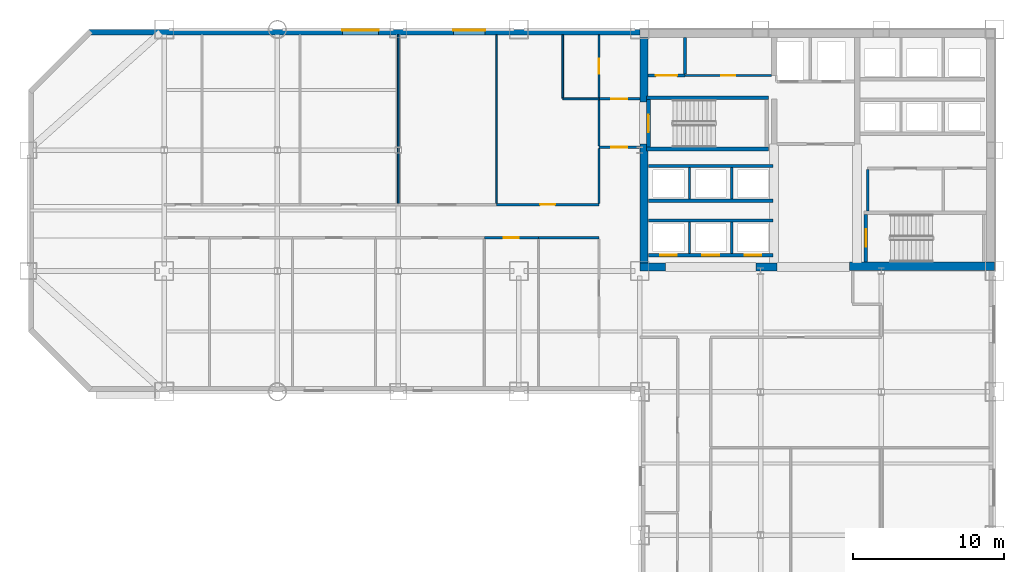
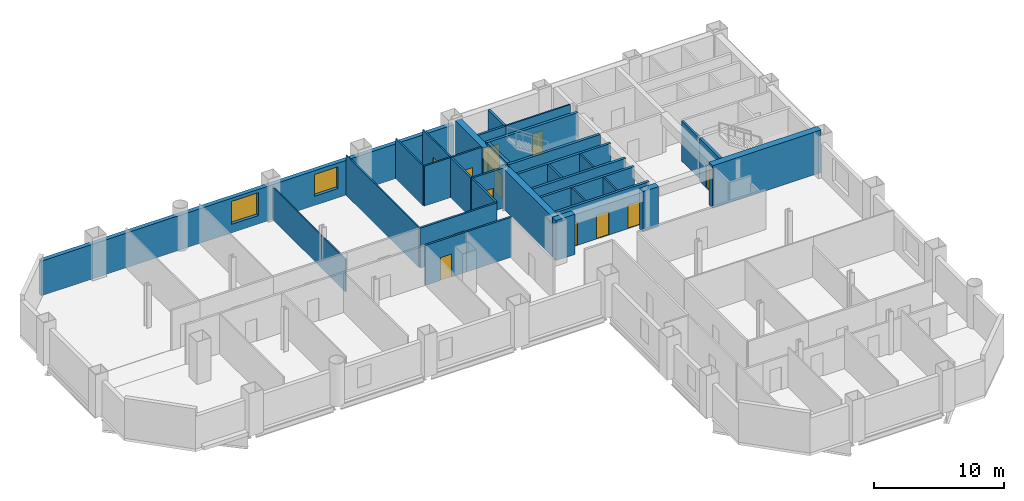
# One storey, part 6 of 9: 34 walls, 12 doors, 2 windows, 14 openings.
"""IFC4 building model written with IfcOpenShell, lengths in metres."""

from ifc_helpers import new_model, si_unit, direction, frame, frame_2d, origin, place, context, subcontext, project, spatial, rectangle, extrude, material, layer, layer_set, type_object, element, fill, save


model = new_model("IFC4")

# Units and contexts
model_context = context("Model", 3, precision=1e-05, world=origin(), true_north=direction((0.0, 1.0)))
body_context = subcontext(model_context, "Body", "Model", "MODEL_VIEW")
ifc_project = project(units=[si_unit("LENGTHUNIT", "METRE"), si_unit("AREAUNIT", "SQUARE_METRE"), si_unit("VOLUMEUNIT", "CUBIC_METRE"), si_unit("PLANEANGLEUNIT", "RADIAN"), si_unit("MASSUNIT", "GRAM", prefix="KILO")], contexts=[model_context])

# Site, building, storey
site_placement = place(None, origin())
site = spatial("IfcSite", under=ifc_project, at=site_placement, CompositionType="ELEMENT")
building_placement = place(site_placement, origin())
building = spatial("IfcBuilding", under=site, at=building_placement, Name="Qianrong Seaharbour Tower", CompositionType="ELEMENT")
storey_placement = place(building_placement, frame((0.0, 0.0, 96.199951171875)))
storey = spatial("IfcBuildingStorey", under=building, at=storey_placement, Name="L23", CompositionType="ELEMENT", Elevation=96.199951171875)

# Walls
ifc_material_1 = material(Name="Concrete C70/85", Category="concrete")
ifc_layer_1 = layer(ifc_material_1, 0.5400390625)
ifc_layer_set_1 = layer_set([ifc_layer_1], Name="Concrete C70/85")
wall_type_1 = type_object("IfcWallType", Name="WALL-CORE-540", PredefinedType="SHEAR", material=ifc_layer_set_1)
wall_1_placement = place(storey_placement, frame((40.77001953125, 36.5400390625, 0.0), z_axis=(0.0, 0.0, 1.0), x_axis=(0.0, 1.0, 0.0)))
element("IfcWall", 1, at=wall_1_placement, inside=storey, type_object=wall_type_1, Name="L23 West Core Shear Wall South", PredefinedType="SHEAR", context=body_context, shape_type="SweptSolid", body=[
    extrude(rectangle(XDim=7.85986328125, YDim=0.5400390625, at=frame_2d((3.929931640625, 0.0))), origin(), (0.0, 0.0, 1.0), 3.75),
])
wall_2_placement = place(storey_placement, frame((40.77001953125, 47.199951171875, 0.0), z_axis=(0.0, 0.0, 1.0), x_axis=(0.0, 1.0, 0.0)))
element("IfcWall", 2, at=wall_2_placement, inside=storey, type_object=wall_type_1, Name="L23 West Core Shear Wall North", PredefinedType="SHEAR", context=body_context, shape_type="SweptSolid", body=[
    extrude(rectangle(XDim=4.260009765625, YDim=0.5400390625, at=frame_2d((2.1298828125, 0.0))), origin(), (0.0, 0.0, 1.0), 3.75),
])
wall_3_placement = place(storey_placement, frame((40.5, 36.27001953125, 0.0), z_axis=(0.0, 0.0, 1.0), x_axis=(1.0, 0.0, 0.0)))
element("IfcWall", 3, at=wall_3_placement, inside=storey, type_object=wall_type_1, Name="L23 South Core Shear Wall S1", PredefinedType="SHEAR", context=body_context, shape_type="SweptSolid", body=[
    extrude(rectangle(XDim=1.699951171875, YDim=0.5400390625, at=frame_2d((0.85009765625, 0.0))), origin(), (0.0, 0.0, 1.0), 3.75),
])
wall_4_placement = place(storey_placement, frame((48.199951171875, 36.27001953125, 0.0), z_axis=(0.0, 0.0, 1.0), x_axis=(1.0, 0.0, 0.0)))
element("IfcWall", 4, at=wall_4_placement, inside=storey, type_object=wall_type_1, Name="L23 South Core Shear Wall S2", PredefinedType="SHEAR", context=body_context, shape_type="SweptSolid", body=[
    extrude(rectangle(XDim=1.400146484375, YDim=0.5400390625, at=frame_2d((0.7001953125, 0.0))), origin(), (0.0, 0.0, 1.0), 3.75),
])
ifc_layer_2 = layer(ifc_material_1, 0.580078125)
ifc_layer_set_2 = layer_set([ifc_layer_2], Name="Concrete C70/85")
wall_type_2 = type_object("IfcWallType", Name="WALL-CORE-580", PredefinedType="SHEAR", material=ifc_layer_set_2)
wall_5_placement = place(storey_placement, frame((54.39990234375, 36.320068359375, 0.0), z_axis=(0.0, 0.0, 1.0), x_axis=(1.0, 0.0, 0.0)))
element("IfcWall", 5, at=wall_5_placement, inside=storey, type_object=wall_type_2, Name="L23 South Core Shear Wall S3", PredefinedType="SHEAR", context=body_context, shape_type="SweptSolid", body=[
    extrude(rectangle(XDim=9.60009765625, YDim=0.580078125, at=frame_2d((4.800048828125, 0.0))), origin(), (0.0, 0.0, 1.0), 4.0),
])

# Wall, opening, door
ifc_material_2 = material(Name="Fire-rated acoustic gypsum board partition")
ifc_layer_3 = layer(ifc_material_2, 0.1650390625)
ifc_layer_set_3 = layer_set([ifc_layer_3], Name="Fire-rated acoustic gypsum board partition")
wall_type_3 = type_object("IfcWallType", Name="WALL-CORR-PART-165", PredefinedType="PARTITIONING", material=ifc_layer_set_3)
wall_6_placement = place(storey_placement, frame((37.800048828125, 47.39990234375, 0.0), z_axis=(0.0, 0.0, 1.0), x_axis=(1.0, 0.0, 0.0)))
wall_6 = element("IfcWall", 6, at=wall_6_placement, inside=storey, type_object=wall_type_3, Name="L23 Interior Partition Wall 001", PredefinedType="PARTITIONING", context=body_context, shape_type="SweptSolid", body=[
    extrude(rectangle(XDim=2.699951171875, YDim=0.1650390625, at=frame_2d((1.35009765625, 0.0))), origin(), (0.0, 0.0, 1.0), 3.75),
])
opening_1_placement = place(wall_6_placement, frame((0.824951171875, 0.0, 0.0)))
opening_1 = element("IfcOpeningElement", 7, at=opening_1_placement, cuts=wall_6, Name="Opening DC-01", PredefinedType="OPENING", context=body_context, shape_type="SweptSolid", body=[
    extrude(rectangle(XDim=1.050048828125, YDim=2.14990234375, at=frame_2d((0.52490234375, 1.074951171875))), frame((0.0, 0.092529296875, 0.0), z_axis=(0.0, -1.0, 0.0), x_axis=(1.0, 0.0, 0.0)), (0.0, 0.0, 1.0), 0.18505859375),
])
ifc_material_3 = material(Name="Acoustic timber and galvanized steel fire door assembly", Category="steel")
door_type_1 = type_object("IfcDoorType", Name="DOOR-CORR-FD60-1050x2150", OperationType="NOTDEFINED", PredefinedType="DOOR", material=ifc_material_3)
door_1_placement = place(opening_1_placement, origin())
door_1 = element("IfcDoor", 8, at=door_1_placement, inside=storey, type_object=door_type_1, Name="L23 Smokeproof Stair Vestibule ST-1 Door", OperationType="SINGLE_SWING_RIGHT", OverallHeight=2.14990234375, OverallWidth=1.050048828125, PredefinedType="DOOR", context=body_context, shape_type="SweptSolid", body=[
    extrude(rectangle(XDim=1.050048828125, YDim=2.14990234375, at=frame_2d((0.52490234375, 1.074951171875))), frame((0.0, 0.02490234375, 0.0), z_axis=(0.0, -1.0, 0.0), x_axis=(1.0, 0.0, 0.0)), (0.0, 0.0, 1.0), 0.050048828125),
])
fill(opening_1, door_1)

wall_7_placement = place(storey_placement, frame((40.5, 44.199951171875, 0.0), z_axis=(0.0, 0.0, 1.0), x_axis=(-1.0, 0.0, 0.0)))
wall_7 = element("IfcWall", 9, at=wall_7_placement, inside=storey, type_object=wall_type_3, Name="L23 Interior Partition Wall 002", PredefinedType="PARTITIONING", context=body_context, shape_type="SweptSolid", body=[
    extrude(rectangle(XDim=2.699951171875, YDim=0.1650390625, at=frame_2d((1.35009765625, 0.0))), origin(), (0.0, 0.0, 1.0), 3.75),
])
opening_2_placement = place(wall_7_placement, frame((0.824951171875, 0.0, 0.0)))
opening_2 = element("IfcOpeningElement", 10, at=opening_2_placement, cuts=wall_7, Name="Opening DC-01", PredefinedType="OPENING", context=body_context, shape_type="SweptSolid", body=[
    extrude(rectangle(XDim=1.050048828125, YDim=2.14990234375, at=frame_2d((0.52490234375, 1.074951171875))), frame((0.0, 0.092529296875, 0.0), z_axis=(0.0, -1.0, 0.0), x_axis=(1.0, 0.0, 0.0)), (0.0, 0.0, 1.0), 0.18505859375),
])
door_2_placement = place(opening_2_placement, origin())
door_2 = element("IfcDoor", 11, at=door_2_placement, inside=storey, type_object=door_type_1, Name="L23 Smokeproof Stair Vestibule ST-1 Door", OperationType="SINGLE_SWING_LEFT", OverallHeight=2.14990234375, OverallWidth=1.050048828125, PredefinedType="DOOR", context=body_context, shape_type="SweptSolid", body=[
    extrude(rectangle(XDim=1.050048828125, YDim=2.14990234375, at=frame_2d((0.52490234375, 1.074951171875))), frame((0.0, 0.02490234375, 0.0), z_axis=(0.0, -1.0, 0.0), x_axis=(1.0, 0.0, 0.0)), (0.0, 0.0, 1.0), 0.050048828125),
])
fill(opening_2, door_2)

# Wall
wall_8_placement = place(storey_placement, frame((37.800048828125, 44.2744140625, 0.0), z_axis=(0.0, 0.0, 1.0), x_axis=(0.0, 1.0, 0.0)))
element("IfcWall", 12, at=wall_8_placement, inside=storey, type_object=wall_type_3, Name="L23 Interior Partition Wall 003", PredefinedType="PARTITIONING", context=body_context, shape_type="SweptSolid", body=[
    extrude(rectangle(XDim=3.051025390625, YDim=0.1650390625, at=frame_2d((1.525390625, 0.0))), origin(), (0.0, 0.0, 1.0), 3.75),
])

# Wall, opening, door
wall_9_placement = place(storey_placement, frame((31.0, 40.39990234375, 0.0), z_axis=(0.0, 0.0, 1.0), x_axis=(1.0, 0.0, 0.0)))
wall_9 = element("IfcWall", 13, at=wall_9_placement, inside=storey, type_object=wall_type_3, Name="L23 Interior Partition Wall 019", PredefinedType="PARTITIONING", context=body_context, shape_type="SweptSolid", body=[
    extrude(rectangle(XDim=6.800048828125, YDim=0.1650390625, at=frame_2d((3.39990234375, 0.0))), origin(), (0.0, 0.0, 1.0), 3.75),
])
opening_3_placement = place(wall_9_placement, frame((2.89990234375, 0.0, 0.0)))
opening_3 = element("IfcOpeningElement", 14, at=opening_3_placement, cuts=wall_9, Name="Opening DO-01", PredefinedType="OPENING", context=body_context, shape_type="SweptSolid", body=[
    extrude(rectangle(XDim=1.0, YDim=2.14990234375, at=frame_2d((0.5, 1.074951171875))), frame((0.0, 0.092529296875, 0.0), z_axis=(0.0, -1.0, 0.0), x_axis=(1.0, 0.0, 0.0)), (0.0, 0.0, 1.0), 0.18505859375),
])
door_type_2 = type_object("IfcDoorType", Name="DOOR-OFFICE-1000x2150", OperationType="NOTDEFINED", PredefinedType="DOOR", material=ifc_material_3)
door_3_placement = place(opening_3_placement, origin())
door_3 = element("IfcDoor", 15, at=door_3_placement, inside=storey, type_object=door_type_2, Name="L23 Vessel Model Showroom 5 Door", OperationType="SINGLE_SWING_RIGHT", OverallHeight=2.14990234375, OverallWidth=1.0, PredefinedType="DOOR", context=body_context, shape_type="SweptSolid", body=[
    extrude(rectangle(XDim=1.0, YDim=2.14990234375, at=frame_2d((0.5, 1.074951171875))), frame((0.0, 0.02490234375, 0.0), z_axis=(0.0, -1.0, 0.0), x_axis=(1.0, 0.0, 0.0)), (0.0, 0.0, 1.0), 0.050048828125),
])
fill(opening_3, door_3)

wall_10_placement = place(storey_placement, frame((33.800048828125, 38.199951171875, 0.0), z_axis=(0.0, 0.0, 1.0), x_axis=(-1.0, 0.0, 0.0)))
wall_10 = element("IfcWall", 16, at=wall_10_placement, inside=storey, type_object=wall_type_3, Name="L23 Interior Partition Wall 024", PredefinedType="PARTITIONING", context=body_context, shape_type="SweptSolid", body=[
    extrude(rectangle(XDim=3.60009765625, YDim=0.1650390625, at=frame_2d((1.800048828125, 0.0))), origin(), (0.0, 0.0, 1.0), 3.75),
])
opening_4_placement = place(wall_10_placement, frame((1.300048828125, 0.0, 0.0)))
opening_4 = element("IfcOpeningElement", 17, at=opening_4_placement, cuts=wall_10, Name="Opening DO-01", PredefinedType="OPENING", context=body_context, shape_type="SweptSolid", body=[
    extrude(rectangle(XDim=1.0, YDim=2.14990234375, at=frame_2d((0.5, 1.074951171875))), frame((0.0, 0.092529296875, 0.0), z_axis=(0.0, -1.0, 0.0), x_axis=(1.0, 0.0, 0.0)), (0.0, 0.0, 1.0), 0.18505859375),
])
door_4_placement = place(opening_4_placement, origin())
door_4 = element("IfcDoor", 18, at=door_4_placement, inside=storey, type_object=door_type_2, Name="L23 Fleet Logistics Showroom 5 Door", OperationType="SINGLE_SWING_LEFT", OverallHeight=2.14990234375, OverallWidth=1.0, PredefinedType="DOOR", context=body_context, shape_type="SweptSolid", body=[
    extrude(rectangle(XDim=1.0, YDim=2.14990234375, at=frame_2d((0.5, 1.074951171875))), frame((0.0, 0.02490234375, 0.0), z_axis=(0.0, -1.0, 0.0), x_axis=(1.0, 0.0, 0.0)), (0.0, 0.0, 1.0), 0.050048828125),
])
fill(opening_4, door_4)

# Walls
wall_11_placement = place(storey_placement, frame((37.800048828125, 38.199951171875, 0.0), z_axis=(0.0, 0.0, 1.0), x_axis=(-1.0, 0.0, 0.0)))
element("IfcWall", 19, at=wall_11_placement, inside=storey, type_object=wall_type_3, Name="L23 Interior Partition Wall 025", PredefinedType="PARTITIONING", context=body_context, shape_type="SweptSolid", body=[
    extrude(rectangle(XDim=4.0, YDim=0.1650390625, at=frame_2d((2.0, 0.0))), origin(), (0.0, 0.0, 1.0), 3.75),
])
wall_12_placement = place(storey_placement, frame((37.800048828125, 40.474609375, 0.0), z_axis=(0.0, 0.0, 1.0), x_axis=(0.0, 1.0, 0.0)))
element("IfcWall", 20, at=wall_12_placement, inside=storey, type_object=wall_type_3, Name="L23 Interior Partition Wall 026", PredefinedType="PARTITIONING", context=body_context, shape_type="SweptSolid", body=[
    extrude(rectangle(XDim=3.65087890625, YDim=0.1650390625, at=frame_2d((1.825439453125, 0.0))), origin(), (0.0, 0.0, 1.0), 3.75),
])
ifc_material_4 = material(Name="Demountable aluminium-framed acoustic office partition", Category="aluminium")
ifc_layer_4 = layer(ifc_material_4, 0.110107421875)
ifc_layer_set_4 = layer_set([ifc_layer_4], Name="Demountable aluminium-framed acoustic office partition")
wall_type_4 = type_object("IfcWallType", Name="WALL-DEMOUNT-110", PredefinedType="MOVABLE", material=ifc_layer_set_4)
wall_13_placement = place(storey_placement, frame((24.5, 51.64794921875, 0.0), z_axis=(0.0, 0.0, 1.0), x_axis=(0.0, -1.0, 0.0)))
element("IfcWall", 21, at=wall_13_placement, inside=storey, type_object=wall_type_4, Name="L23 Interior Partition Wall 052", PredefinedType="MOVABLE", context=body_context, shape_type="SweptSolid", body=[
    extrude(rectangle(XDim=11.17333984375, YDim=0.110107421875, at=frame_2d((5.586669921875, 0.0))), origin(), (0.0, 0.0, 1.0), 3.0419921875),
])
wall_14_placement = place(storey_placement, frame((31.0, 51.64794921875, 0.0), z_axis=(0.0, 0.0, 1.0), x_axis=(0.0, -1.0, 0.0)))
element("IfcWall", 22, at=wall_14_placement, inside=storey, type_object=wall_type_4, Name="L23 Interior Partition Wall 053", PredefinedType="MOVABLE", context=body_context, shape_type="SweptSolid", body=[
    extrude(rectangle(XDim=11.17333984375, YDim=0.110107421875, at=frame_2d((5.586669921875, 0.0))), origin(), (0.0, 0.0, 1.0), 3.75),
])

# Wall, openings, windows
ifc_material_5 = material(Name="Unitised red brick on Precast concrete C45/55", Category="masonry")
ifc_layer_5 = layer(ifc_material_5, 0.360107421875)
ifc_layer_set_5 = layer_set([ifc_layer_5], Name="Unitised red brick on Precast concrete C45/55")
wall_type_5 = type_object("IfcWallType", Name="WALL-EXT-BRICK-RED-360", PredefinedType="SOLIDWALL", material=ifc_layer_set_5)
wall_15_placement = place(storey_placement, frame((4.0, 51.820068359375, 0.0), z_axis=(0.0, 0.0, 1.0), x_axis=(1.0, 0.0, 0.0)))
wall_15 = element("IfcWall", 23, at=wall_15_placement, inside=storey, type_object=wall_type_5, Name="L23 Exterior Masonry Facade Wall NORTH_WING", PredefinedType="SOLIDWALL", context=body_context, shape_type="SweptSolid", body=[
    extrude(rectangle(XDim=36.52001953125, YDim=0.360107421875, at=frame_2d((18.260009765625, 0.0))), origin(), (0.0, 0.0, 1.0), 3.25),
])
opening_5_placement = place(wall_15_placement, frame((16.800048828125, 0.0, 0.800048828125)))
opening_5 = element("IfcOpeningElement", 24, at=opening_5_placement, cuts=wall_15, Name="Opening WN-07", PredefinedType="OPENING", context=body_context, shape_type="SweptSolid", body=[
    extrude(rectangle(XDim=2.39990234375, YDim=2.14990234375, at=frame_2d((1.199951171875, 1.074951171875))), frame((0.0, 0.18994140625, 0.0), z_axis=(0.0, -1.0, 0.0), x_axis=(1.0, 0.0, 0.0)), (0.0, 0.0, 1.0), 0.380126953125),
])
opening_6_placement = place(wall_15_placement, frame((24.14990234375, 0.0, 0.85009765625)))
opening_6 = element("IfcOpeningElement", 25, at=opening_6_placement, cuts=wall_15, Name="Opening WN-06", PredefinedType="OPENING", context=body_context, shape_type="SweptSolid", body=[
    extrude(rectangle(XDim=2.10009765625, YDim=2.050048828125, at=frame_2d((1.050048828125, 1.02490234375))), frame((0.0, 0.18994140625, 0.0), z_axis=(0.0, -1.0, 0.0), x_axis=(1.0, 0.0, 0.0)), (0.0, 0.0, 1.0), 0.380126953125),
])
ifc_material_6 = material(Name="Insulated low-e double glazing in thermally broken aluminium 6063-T6 frame", Category="aluminium")
window_type_1 = type_object("IfcWindowType", Name="WIN-PUNCH-2100x2050", PartitioningType="TRIPLE_PANEL_VERTICAL", PredefinedType="WINDOW", material=ifc_material_6)
window_1_placement = place(opening_6_placement, origin())
window_1 = element("IfcWindow", 26, at=window_1_placement, inside=storey, type_object=window_type_1, Name="L23 Deep-Set Punched Window 05.07", OverallHeight=2.050048828125, OverallWidth=2.10009765625, PartitioningType="TRIPLE_PANEL_VERTICAL", PredefinedType="WINDOW", context=body_context, shape_type="SweptSolid", body=[
    extrude(rectangle(XDim=2.10009765625, YDim=2.050048828125, at=frame_2d((1.050048828125, 1.02490234375))), frame((0.0, 0.150146484375, 0.0), z_axis=(0.0, -1.0, 0.0), x_axis=(1.0, 0.0, 0.0)), (0.0, 0.0, 1.0), 0.06005859375),
])
fill(opening_6, window_1)
window_type_2 = type_object("IfcWindowType", Name="WIN-PUNCH-2400x2150", PartitioningType="TRIPLE_PANEL_VERTICAL", PredefinedType="WINDOW", material=ifc_material_6)
window_2_placement = place(opening_5_placement, origin())
window_2 = element("IfcWindow", 27, at=window_2_placement, inside=storey, type_object=window_type_2, Name="L23 Deep-Set Punched Window 05.05", OverallHeight=2.14990234375, OverallWidth=2.39990234375, PartitioningType="TRIPLE_PANEL_VERTICAL", PredefinedType="WINDOW", context=body_context, shape_type="SweptSolid", body=[
    extrude(rectangle(XDim=2.39990234375, YDim=2.14990234375, at=frame_2d((1.199951171875, 1.074951171875))), frame((0.0, 0.150146484375, 0.0), z_axis=(0.0, -1.0, 0.0), x_axis=(1.0, 0.0, 0.0)), (0.0, 0.0, 1.0), 0.06005859375),
])
fill(opening_5, window_2)

# Wall, opening, door
ifc_material_7 = material(Name="Double fire-rated gypsum board acoustic partition")
ifc_layer_6 = layer(ifc_material_7, 0.18994140625)
ifc_layer_set_6 = layer_set([ifc_layer_6], Name="Double fire-rated gypsum board acoustic partition")
wall_type_6 = type_object("IfcWallType", Name="WALL-FIRE-PART-190", PredefinedType="PARTITIONING", material=ifc_layer_set_6)
wall_16_placement = place(storey_placement, frame((41.0400390625, 48.949951171875, 0.0), z_axis=(0.0, 0.0, 1.0), x_axis=(1.0, 0.0, 0.0)))
wall_16 = element("IfcWall", 28, at=wall_16_placement, inside=storey, type_object=wall_type_6, Name="L23 Interior Partition Wall 007", PredefinedType="PARTITIONING", context=body_context, shape_type="SweptSolid", body=[
    extrude(rectangle(XDim=2.4599609375, YDim=0.18994140625, at=frame_2d((1.22998046875, 0.0))), origin(), (0.0, 0.0, 1.0), 3.75),
])
opening_7_placement = place(wall_16_placement, frame((0.530029296875, 0.0, 0.0)))
opening_7 = element("IfcOpeningElement", 29, at=opening_7_placement, cuts=wall_16, Name="Opening DP-01", PredefinedType="OPENING", context=body_context, shape_type="SweptSolid", body=[
    extrude(rectangle(XDim=1.39990234375, YDim=2.25, at=frame_2d((0.699951171875, 1.125))), frame((0.0, 0.10498046875, 0.0), z_axis=(0.0, -1.0, 0.0), x_axis=(1.0, 0.0, 0.0)), (0.0, 0.0, 1.0), 0.2099609375),
])
door_type_3 = type_object("IfcDoorType", Name="DOOR-PLANT-PAIR-1400x2250", OperationType="DOUBLE_DOOR_SINGLE_SWING", PredefinedType="DOOR", material=ifc_material_3)
door_5_placement = place(opening_7_placement, origin())
door_5 = element("IfcDoor", 30, at=door_5_placement, inside=storey, type_object=door_type_3, Name="L23 Core Electrical Closet Door", OperationType="DOUBLE_DOOR_SINGLE_SWING", OverallHeight=2.25, OverallWidth=1.39990234375, PredefinedType="DOOR", context=body_context, shape_type="SweptSolid", body=[
    extrude(rectangle(XDim=1.39990234375, YDim=2.25, at=frame_2d((0.699951171875, 1.125))), frame((0.0, 0.02490234375, 0.0), z_axis=(0.0, -1.0, 0.0), x_axis=(1.0, 0.0, 0.0)), (0.0, 0.0, 1.0), 0.050048828125),
])
fill(opening_7, door_5)

# Walls
wall_17_placement = place(storey_placement, frame((55.60009765625, 42.712890625, 0.0), z_axis=(0.0, 0.0, 1.0), x_axis=(0.0, -1.0, 0.0)))
element("IfcWall", 31, at=wall_17_placement, inside=storey, type_object=wall_type_6, Name="L23 Interior Partition Wall 010", PredefinedType="PARTITIONING", context=body_context, shape_type="SweptSolid", body=[
    extrude(rectangle(XDim=2.73095703125, YDim=0.18994140625, at=frame_2d((1.365478515625, 0.0))), origin(), (0.0, 0.0, 1.0), 3.75),
])
wall_18_placement = place(storey_placement, frame((43.5, 51.4599609375, 0.0), z_axis=(0.0, 0.0, 1.0), x_axis=(0.0, -1.0, 0.0)))
element("IfcWall", 32, at=wall_18_placement, inside=storey, type_object=wall_type_6, Name="L23 Interior Partition Wall 013", PredefinedType="PARTITIONING", context=body_context, shape_type="SweptSolid", body=[
    extrude(rectangle(XDim=2.4228515625, YDim=0.18994140625, at=frame_2d((1.21142578125, 0.0))), origin(), (0.0, 0.0, 1.0), 3.75),
])
ifc_material_8 = material(Name="Fire-rated gypsum board on steel studs", Category="steel")
ifc_layer_7 = layer(ifc_material_8, 0.14990234375)
ifc_layer_set_7 = layer_set([ifc_layer_7], Name="Fire-rated gypsum board on steel studs")
wall_type_7 = type_object("IfcWallType", Name="WALL-SHAFT-DIV-150", PredefinedType="PARTITIONING", material=ifc_layer_set_7)
for number, where, z_axis, x_axis, name in (
    (33, (43.800048828125, 37.159912109375, 0.0), (0.0, 0.0, 1.0), (0.0, 1.0, 0.0), "L23 P1 Lift Hoistway Divider 2"),
    (34, (46.60009765625, 37.159912109375, 0.0), (0.0, 0.0, 1.0), (0.0, 1.0, 0.0), "L23 P1 Lift Hoistway Divider 3"),
    (35, (43.800048828125, 40.760009765625, 0.0), (0.0, 0.0, 1.0), (0.0, 1.0, 0.0), "L23 P2 Lift Hoistway Divider 2"),
    (36, (46.60009765625, 40.760009765625, 0.0), (0.0, 0.0, 1.0), (0.0, 1.0, 0.0), "L23 P2 Lift Hoistway Divider 3"),
):
    element("IfcWall", number, at=place(storey_placement, frame(where, z_axis=z_axis, x_axis=x_axis)), inside=storey, type_object=wall_type_7, Name=name, PredefinedType="PARTITIONING", context=body_context, shape_type="SweptSolid", body=[
        extrude(rectangle(XDim=2.080078125, YDim=0.14990234375, at=frame_2d((1.0400390625, 0.0))), origin(), (0.0, 0.0, 1.0), 3.75),
    ])

# Wall, openings, doors
ifc_layer_8 = layer(ifc_material_8, 0.219970703125)
ifc_layer_set_8 = layer_set([ifc_layer_8], Name="Fire-rated gypsum board on steel studs")
wall_type_8 = type_object("IfcWallType", Name="WALL-SHAFT-GYP220", PredefinedType="PARTITIONING", material=ifc_layer_set_8)
wall_19_placement = place(storey_placement, frame((49.320068359375, 37.050048828125, 0.0), z_axis=(0.0, 0.0, 1.0), x_axis=(-1.0, 0.0, 0.0)))
wall_19 = element("IfcWall", 37, at=wall_19_placement, inside=storey, type_object=wall_type_8, Name="L23 P1 Lift Hoistway Front Wall", PredefinedType="PARTITIONING", context=body_context, shape_type="SweptSolid", body=[
    extrude(rectangle(XDim=8.239990234375, YDim=0.219970703125, at=frame_2d((4.1201171875, 0.0))), origin(), (0.0, 0.0, 1.0), 3.75),
])
opening_8_placement = place(wall_19_placement, frame((6.3701171875, 0.0, 0.0)))
opening_8 = element("IfcOpeningElement", 38, at=opening_8_placement, cuts=wall_19, Name="Opening LD-02", PredefinedType="OPENING", context=body_context, shape_type="SweptSolid", body=[
    extrude(rectangle(XDim=1.10009765625, YDim=2.199951171875, at=frame_2d((0.550048828125, 1.10009765625))), frame((0.0, 0.1201171875, 0.0), z_axis=(0.0, -1.0, 0.0), x_axis=(1.0, 0.0, 0.0)), (0.0, 0.0, 1.0), 0.239990234375),
])
opening_9_placement = place(wall_19_placement, frame((3.570068359375, 0.0, 0.0)))
opening_9 = element("IfcOpeningElement", 39, at=opening_9_placement, cuts=wall_19, Name="Opening LD-02", PredefinedType="OPENING", context=body_context, shape_type="SweptSolid", body=[
    extrude(rectangle(XDim=1.10009765625, YDim=2.199951171875, at=frame_2d((0.550048828125, 1.10009765625))), frame((0.0, 0.1201171875, 0.0), z_axis=(0.0, -1.0, 0.0), x_axis=(1.0, 0.0, 0.0)), (0.0, 0.0, 1.0), 0.239990234375),
])
opening_10_placement = place(wall_19_placement, frame((0.77001953125, 0.0, 0.0)))
opening_10 = element("IfcOpeningElement", 40, at=opening_10_placement, cuts=wall_19, Name="Opening LD-02", PredefinedType="OPENING", context=body_context, shape_type="SweptSolid", body=[
    extrude(rectangle(XDim=1.10009765625, YDim=2.199951171875, at=frame_2d((0.550048828125, 1.10009765625))), frame((0.0, 0.1201171875, 0.0), z_axis=(0.0, -1.0, 0.0), x_axis=(1.0, 0.0, 0.0)), (0.0, 0.0, 1.0), 0.239990234375),
])
ifc_material_9 = material(Name="Stainless steel SUS316L bi-parting lift landing door", Category="steel")
door_type_4 = type_object("IfcDoorType", Name="DOOR-LIFT-PASS-1100x2200", OperationType="DOUBLE_DOOR_SLIDING", PredefinedType="DOOR", material=ifc_material_9)
door_6_placement = place(opening_8_placement, origin())
door_6 = element("IfcDoor", 41, at=door_6_placement, inside=storey, type_object=door_type_4, Name="L23 PL-1A Lift Landing Door", OperationType="DOUBLE_DOOR_SLIDING", OverallHeight=2.199951171875, OverallWidth=1.10009765625, PredefinedType="DOOR", context=body_context, shape_type="SweptSolid", body=[
    extrude(rectangle(XDim=1.10009765625, YDim=2.199951171875, at=frame_2d((0.550048828125, 1.10009765625))), frame((0.0, 0.02490234375, 0.0), z_axis=(0.0, -1.0, 0.0), x_axis=(1.0, 0.0, 0.0)), (0.0, 0.0, 1.0), 0.050048828125),
])
fill(opening_8, door_6)
door_7_placement = place(opening_9_placement, origin())
door_7 = element("IfcDoor", 42, at=door_7_placement, inside=storey, type_object=door_type_4, Name="L23 PL-1B Lift Landing Door", OperationType="DOUBLE_DOOR_SLIDING", OverallHeight=2.199951171875, OverallWidth=1.10009765625, PredefinedType="DOOR", context=body_context, shape_type="SweptSolid", body=[
    extrude(rectangle(XDim=1.10009765625, YDim=2.199951171875, at=frame_2d((0.550048828125, 1.10009765625))), frame((0.0, 0.02490234375, 0.0), z_axis=(0.0, -1.0, 0.0), x_axis=(1.0, 0.0, 0.0)), (0.0, 0.0, 1.0), 0.050048828125),
])
fill(opening_9, door_7)
door_8_placement = place(opening_10_placement, origin())
door_8 = element("IfcDoor", 43, at=door_8_placement, inside=storey, type_object=door_type_4, Name="L23 PL-1C Lift Landing Door", OperationType="DOUBLE_DOOR_SLIDING", OverallHeight=2.199951171875, OverallWidth=1.10009765625, PredefinedType="DOOR", context=body_context, shape_type="SweptSolid", body=[
    extrude(rectangle(XDim=1.10009765625, YDim=2.199951171875, at=frame_2d((0.550048828125, 1.10009765625))), frame((0.0, 0.02490234375, 0.0), z_axis=(0.0, -1.0, 0.0), x_axis=(1.0, 0.0, 0.0)), (0.0, 0.0, 1.0), 0.050048828125),
])
fill(opening_10, door_8)

# Walls
for number, where, z_axis, x_axis, name in (
    (44, (41.080078125, 39.35009765625, 0.0), (0.0, 0.0, 1.0), (1.0, 0.0, 0.0), "L23 P1 Lift Hoistway Back Wall"),
    (45, (49.320068359375, 40.64990234375, 0.0), (0.0, 0.0, 1.0), (-1.0, 0.0, 0.0), "L23 P2 Lift Hoistway Front Wall"),
    (46, (41.080078125, 42.949951171875, 0.0), (0.0, 0.0, 1.0), (1.0, 0.0, 0.0), "L23 P2 Lift Hoistway Back Wall"),
):
    element("IfcWall", number, at=place(storey_placement, frame(where, z_axis=z_axis, x_axis=x_axis)), inside=storey, type_object=wall_type_8, Name=name, PredefinedType="PARTITIONING", context=body_context, shape_type="SweptSolid", body=[
        extrude(rectangle(XDim=8.239990234375, YDim=0.219970703125, at=frame_2d((4.1201171875, 0.0))), origin(), (0.0, 0.0, 1.0), 3.75),
    ])
ifc_material_10 = material(Name="Concrete C50/60", Category="concrete")
ifc_layer_9 = layer(ifc_material_10, 0.239990234375)
ifc_layer_set_9 = layer_set([ifc_layer_9], Name="Concrete C50/60")
wall_type_9 = type_object("IfcWallType", Name="WALL-SHAFT-RC240", PredefinedType="SOLIDWALL", material=ifc_layer_set_9)
for number, where, z_axis, x_axis, name in (
    (47, (40.9599609375, 47.469970703125, 0.0), (0.0, 0.0, 1.0), (1.0, 0.0, 0.0), "L23 ST-1 Structural Stair Core Wall N"),
    (48, (49.0400390625, 44.080078125, 0.0), (0.0, 0.0, 1.0), (-1.0, 0.0, 0.0), "L23 ST-1 Structural Stair Core Wall S"),
):
    element("IfcWall", number, at=place(storey_placement, frame(where, z_axis=z_axis, x_axis=x_axis)), inside=storey, type_object=wall_type_9, Name=name, PredefinedType="SOLIDWALL", context=body_context, shape_type="SweptSolid", body=[
        extrude(rectangle(XDim=8.080078125, YDim=0.239990234375, at=frame_2d((4.0400390625, 0.0))), origin(), (0.0, 0.0, 1.0), 4.0),
    ])

# Wall, opening, door
wall_20_placement = place(storey_placement, frame((41.080078125, 47.35009765625, 0.0), z_axis=(0.0, 0.0, 1.0), x_axis=(0.0, -1.0, 0.0)))
wall_20 = element("IfcWall", 49, at=wall_20_placement, inside=storey, type_object=wall_type_9, Name="L23 ST-1 Structural Stair Core Wall W", PredefinedType="SOLIDWALL", context=body_context, shape_type="SweptSolid", body=[
    extrude(rectangle(XDim=3.150146484375, YDim=0.239990234375, at=frame_2d((1.5751953125, 0.0))), origin(), (0.0, 0.0, 1.0), 4.0),
])
opening_11_placement = place(wall_20_placement, frame((1.0, 0.0, 0.0)))
opening_11 = element("IfcOpeningElement", 50, at=opening_11_placement, cuts=wall_20, Name="Opening SD-01", PredefinedType="OPENING", context=body_context, shape_type="SweptSolid", body=[
    extrude(rectangle(XDim=1.14990234375, YDim=2.199951171875, at=frame_2d((0.574951171875, 1.10009765625))), frame((0.0, 0.1298828125, 0.0), z_axis=(0.0, -1.0, 0.0), x_axis=(1.0, 0.0, 0.0)), (0.0, 0.0, 1.0), 0.260009765625),
])
door_type_5 = type_object("IfcDoorType", Name="DOOR-STAIR-FD60-1150x2200", OperationType="NOTDEFINED", PredefinedType="DOOR", material=ifc_material_3)
door_9_placement = place(opening_11_placement, origin())
door_9 = element("IfcDoor", 51, at=door_9_placement, inside=storey, type_object=door_type_5, Name="L23 ST-1 Protected Stair Door", OperationType="SINGLE_SWING_RIGHT", OverallHeight=2.199951171875, OverallWidth=1.14990234375, PredefinedType="DOOR", context=body_context, shape_type="SweptSolid", body=[
    extrude(rectangle(XDim=1.14990234375, YDim=2.199951171875, at=frame_2d((0.574951171875, 1.10009765625))), frame((0.0, 0.02490234375, 0.0), z_axis=(0.0, -1.0, 0.0), x_axis=(1.0, 0.0, 0.0)), (0.0, 0.0, 1.0), 0.050048828125),
])
fill(opening_11, door_9)

wall_21_placement = place(storey_placement, frame((55.47998046875, 39.75, 0.0), z_axis=(0.0, 0.0, 1.0), x_axis=(0.0, -1.0, 0.0)))
wall_21 = element("IfcWall", 52, at=wall_21_placement, inside=storey, type_object=wall_type_9, Name="L23 ST-2 Structural Stair Core Wall W", PredefinedType="SOLIDWALL", context=body_context, shape_type="SweptSolid", body=[
    extrude(rectangle(XDim=3.14990234375, YDim=0.239990234375, at=frame_2d((1.574951171875, 0.0))), origin(), (0.0, 0.0, 1.0), 4.0),
])
opening_12_placement = place(wall_21_placement, frame((1.0, 0.0, 0.0)))
opening_12 = element("IfcOpeningElement", 53, at=opening_12_placement, cuts=wall_21, Name="Opening SD-01", PredefinedType="OPENING", context=body_context, shape_type="SweptSolid", body=[
    extrude(rectangle(XDim=1.14990234375, YDim=2.199951171875, at=frame_2d((0.574951171875, 1.10009765625))), frame((0.0, 0.1298828125, 0.0), z_axis=(0.0, -1.0, 0.0), x_axis=(1.0, 0.0, 0.0)), (0.0, 0.0, 1.0), 0.260009765625),
])
door_10_placement = place(opening_12_placement, origin())
door_10 = element("IfcDoor", 54, at=door_10_placement, inside=storey, type_object=door_type_5, Name="L23 ST-2 Protected Stair Door", OperationType="SINGLE_SWING_RIGHT", OverallHeight=2.199951171875, OverallWidth=1.14990234375, PredefinedType="DOOR", context=body_context, shape_type="SweptSolid", body=[
    extrude(rectangle(XDim=1.14990234375, YDim=2.199951171875, at=frame_2d((0.574951171875, 1.10009765625))), frame((0.0, 0.02490234375, 0.0), z_axis=(0.0, -1.0, 0.0), x_axis=(1.0, 0.0, 0.0)), (0.0, 0.0, 1.0), 0.050048828125),
])
fill(opening_12, door_10)

ifc_material_11 = material(Name="Water-resistant cement board sanitary partition")
ifc_layer_10 = layer(ifc_material_11, 0.1298828125)
ifc_layer_set_10 = layer_set([ifc_layer_10], Name="Water-resistant cement board sanitary partition")
wall_type_10 = type_object("IfcWallType", Name="WALL-WET-PART-130", PredefinedType="PARTITIONING", material=ifc_layer_set_10)
wall_22_placement = place(storey_placement, frame((37.800048828125, 47.474609375, 0.0), z_axis=(0.0, 0.0, 1.0), x_axis=(0.0, 1.0, 0.0)))
wall_22 = element("IfcWall", 55, at=wall_22_placement, inside=storey, type_object=wall_type_10, Name="L23 Interior Partition Wall 004", PredefinedType="PARTITIONING", context=body_context, shape_type="SweptSolid", body=[
    extrude(rectangle(XDim=4.17333984375, YDim=0.1298828125, at=frame_2d((2.086669921875, 0.0))), origin(), (0.0, 0.0, 1.0), 3.75),
])
opening_13_placement = place(wall_22_placement, frame((1.57666015625, 0.0, 0.0)))
opening_13 = element("IfcOpeningElement", 56, at=opening_13_placement, cuts=wall_22, Name="Opening DAW-01", PredefinedType="OPENING", context=body_context, shape_type="SweptSolid", body=[
    extrude(rectangle(XDim=1.02001953125, YDim=2.14990234375, at=frame_2d((0.510009765625, 1.074951171875))), frame((0.0, 0.074951171875, 0.0), z_axis=(0.0, -1.0, 0.0), x_axis=(1.0, 0.0, 0.0)), (0.0, 0.0, 1.0), 0.14990234375),
])
door_type_6 = type_object("IfcDoorType", Name="DOOR-AWC-SLIDE-1020x2150", OperationType="SLIDING_TO_LEFT", PredefinedType="DOOR", material=ifc_material_3)
door_11_placement = place(opening_13_placement, origin())
door_11 = element("IfcDoor", 57, at=door_11_placement, inside=storey, type_object=door_type_6, Name="L23 Accessible Restroom WC Door", OperationType="SLIDING_TO_LEFT", OverallHeight=2.14990234375, OverallWidth=1.02001953125, PredefinedType="DOOR", context=body_context, shape_type="SweptSolid", body=[
    extrude(rectangle(XDim=1.02001953125, YDim=2.14990234375, at=frame_2d((0.510009765625, 1.074951171875))), frame((0.0, 0.02490234375, 0.0), z_axis=(0.0, -1.0, 0.0), x_axis=(1.0, 0.0, 0.0)), (0.0, 0.0, 1.0), 0.050048828125),
])
fill(opening_13, door_11)

# Walls
wall_23_placement = place(storey_placement, frame((37.800048828125, 47.39990234375, 0.0), z_axis=(0.0, 0.0, 1.0), x_axis=(-1.0, 0.0, 0.0)))
element("IfcWall", 58, at=wall_23_placement, inside=storey, type_object=wall_type_10, Name="L23 Interior Partition Wall 005", PredefinedType="PARTITIONING", context=body_context, shape_type="SweptSolid", body=[
    extrude(rectangle(XDim=2.400146484375, YDim=0.1298828125, at=frame_2d((1.2001953125, 0.0))), origin(), (0.0, 0.0, 1.0), 3.75),
])
wall_24_placement = place(storey_placement, frame((35.39990234375, 47.45703125, 0.0), z_axis=(0.0, 0.0, 1.0), x_axis=(0.0, 1.0, 0.0)))
element("IfcWall", 59, at=wall_24_placement, inside=storey, type_object=wall_type_10, Name="L23 Interior Partition Wall 006", PredefinedType="PARTITIONING", context=body_context, shape_type="SweptSolid", body=[
    extrude(rectangle(XDim=4.19091796875, YDim=0.1298828125, at=frame_2d((2.095458984375, 0.0))), origin(), (0.0, 0.0, 1.0), 3.75),
])

# Wall, opening, door
wall_25_placement = place(storey_placement, frame((43.5, 48.949951171875, 0.0), z_axis=(0.0, 0.0, 1.0), x_axis=(1.0, 0.0, 0.0)))
wall_25 = element("IfcWall", 60, at=wall_25_placement, inside=storey, type_object=wall_type_10, Name="L23 Interior Partition Wall 008", PredefinedType="PARTITIONING", context=body_context, shape_type="SweptSolid", body=[
    extrude(rectangle(XDim=5.718017578125, YDim=0.1298828125, at=frame_2d((2.85888671875, 0.0))), origin(), (0.0, 0.0, 1.0), 3.75),
])
opening_14_placement = place(wall_25_placement, frame((2.39892578125, 0.0, 0.0)))
opening_14 = element("IfcOpeningElement", 61, at=opening_14_placement, cuts=wall_25, Name="Opening DW-01", PredefinedType="OPENING", context=body_context, shape_type="SweptSolid", body=[
    extrude(rectangle(XDim=0.919921875, YDim=2.14990234375, at=frame_2d((0.4599609375, 1.074951171875))), frame((0.0, 0.074951171875, 0.0), z_axis=(0.0, -1.0, 0.0), x_axis=(1.0, 0.0, 0.0)), (0.0, 0.0, 1.0), 0.14990234375),
])
door_type_7 = type_object("IfcDoorType", Name="DOOR-WC-920x2150", OperationType="NOTDEFINED", PredefinedType="DOOR", material=ifc_material_3)
door_12_placement = place(opening_14_placement, origin())
door_12 = element("IfcDoor", 62, at=door_12_placement, inside=storey, type_object=door_type_7, Name="L23 Staff Restroom WC Door", OperationType="SINGLE_SWING_RIGHT", OverallHeight=2.14990234375, OverallWidth=0.919921875, PredefinedType="DOOR", context=body_context, shape_type="SweptSolid", body=[
    extrude(rectangle(XDim=0.919921875, YDim=2.14990234375, at=frame_2d((0.4599609375, 1.074951171875))), frame((0.0, 0.02490234375, 0.0), z_axis=(0.0, -1.0, 0.0), x_axis=(1.0, 0.0, 0.0)), (0.0, 0.0, 1.0), 0.050048828125),
])
fill(opening_14, door_12)

save(model, "model.ifc")
